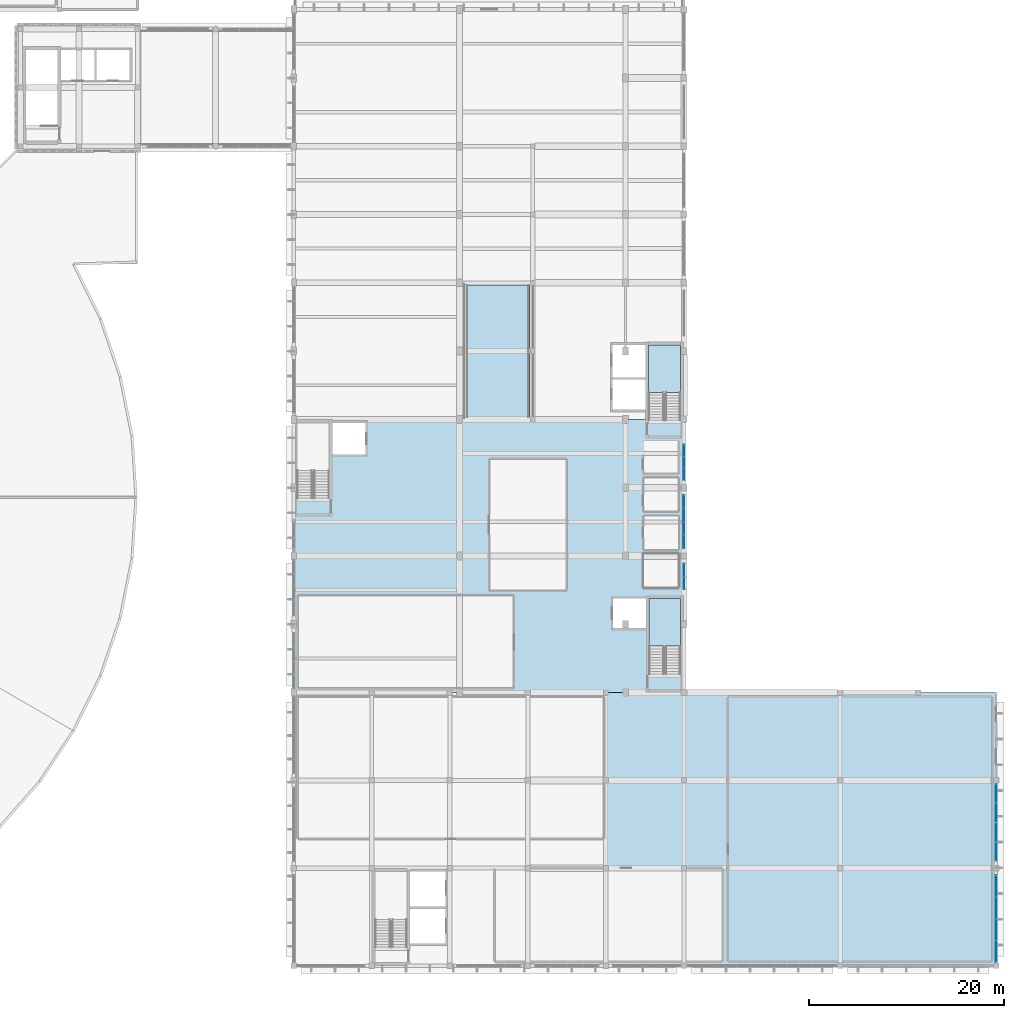
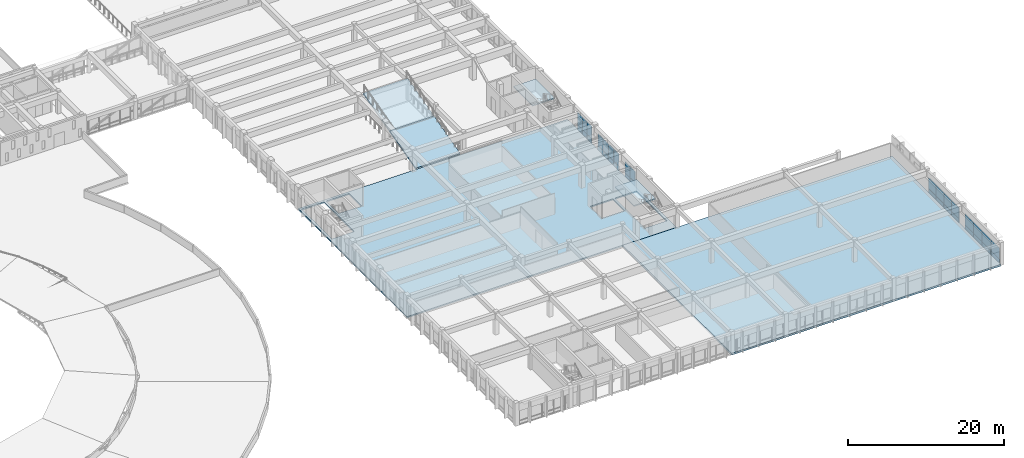
# One storey, part 50 of 77: 34 plates, 6 slabs, 7 elements without a shape of their own.
"""IFC4 building model written with IfcOpenShell, lengths in metres."""

from ifc_helpers import new_model, si_unit, direction, frame, origin, origin_2d, place, context, subcontext, project, spatial, polyline, rectangle, outline, extrude, material, layer, layer_set, type_object, element, aggregate, save


model = new_model("IFC4")

# Units and contexts
model_context = context("Model", 3, precision=1e-05, world=origin(), true_north=direction((0.0, 1.0)))
body_context = subcontext(model_context, "Body", "Model", "MODEL_VIEW")
ifc_project = project(units=[si_unit("LENGTHUNIT", "METRE"), si_unit("AREAUNIT", "SQUARE_METRE"), si_unit("VOLUMEUNIT", "CUBIC_METRE"), si_unit("PLANEANGLEUNIT", "RADIAN"), si_unit("MASSUNIT", "GRAM", prefix="KILO")], contexts=[model_context])

# Site, building, storey
site_placement = place(None, origin())
site = spatial("IfcSite", under=ifc_project, at=site_placement, CompositionType="ELEMENT")
building_placement = place(site_placement, origin())
building = spatial("IfcBuilding", under=site, at=building_placement, Name="Larkveld Mobility Hub", CompositionType="ELEMENT")
storey_placement = place(building_placement, frame((0.0, 0.0, 12.0)))
storey = spatial("IfcBuildingStorey", under=building, at=storey_placement, Name="L03", CompositionType="ELEMENT", Elevation=12.0)

# Curtain wall, plates
ifc_material_1 = material(Name="Anodised aluminium 6063-T6", Category="aluminium")
curtain_wall_type_1 = type_object("IfcCurtainWallType", Name="CW-SYS-01", PredefinedType="NOTDEFINED", material=ifc_material_1)
curtain_wall_1_placement = place(storey_placement, origin())
curtain_wall_1 = element("IfcCurtainWall", 1, at=curtain_wall_1_placement, inside=storey, type_object=curtain_wall_type_1, Name="Service Wing East Curtain Wall L03 CW-121", PredefinedType="NOTDEFINED")
ifc_material_2 = material(Name="Low-E laminated solar-control double glazing", Category="glass")
ifc_layer_1 = layer(ifc_material_2, 0.028076171875, Name="Low-E laminated solar-control double glazing", Category="glass")
ifc_layer_set_1 = layer_set([ifc_layer_1], Name="Low-E laminated solar-control double glazing")
plate_type_1 = type_object("IfcPlateType", Name="CW-PNL-GL01", PredefinedType="CURTAIN_PANEL", material=ifc_layer_set_1)
plate_1_placement = place(storey_placement, frame((184.0, 11.717041015625, 0.593994140625), z_axis=(0.0, 0.0, 1.0), x_axis=(0.0, 1.0, 0.0)))
plate_1 = element("IfcPlate", 2, at=plate_1_placement, type_object=plate_type_1, Name="CW01 panel 1", PredefinedType="CURTAIN_PANEL", context=body_context, shape_type="SweptSolid", body=[
    extrude(rectangle(XDim=1.9541015625, YDim=0.028076171875, at=origin_2d()), origin(), (0.0, 0.0, 1.0), 1.75390625),
])
plate_2_placement = place(storey_placement, frame((184.0, 13.69091796875, 0.593994140625), z_axis=(0.0, 0.0, 1.0), x_axis=(0.0, 1.0, 0.0)))
plate_2 = element("IfcPlate", 3, at=plate_2_placement, type_object=plate_type_1, Name="CW01 panel 2", PredefinedType="CURTAIN_PANEL", context=body_context, shape_type="SweptSolid", body=[
    extrude(rectangle(XDim=1.97412109375, YDim=0.028076171875, at=origin_2d()), origin(), (0.0, 0.0, 1.0), 1.75390625),
])
plate_3_placement = place(storey_placement, frame((184.0, 15.674072265625, 0.593994140625), z_axis=(0.0, 0.0, 1.0), x_axis=(0.0, 1.0, 0.0)))
plate_3 = element("IfcPlate", 4, at=plate_3_placement, type_object=plate_type_1, Name="CW01 panel 3", PredefinedType="CURTAIN_PANEL", context=body_context, shape_type="SweptSolid", body=[
    extrude(rectangle(XDim=1.97412109375, YDim=0.028076171875, at=origin_2d()), origin(), (0.0, 0.0, 1.0), 1.75390625),
])
plate_4_placement = place(storey_placement, frame((184.0, 17.64794921875, 0.593994140625), z_axis=(0.0, 0.0, 1.0), x_axis=(0.0, 1.0, 0.0)))
plate_4 = element("IfcPlate", 5, at=plate_4_placement, type_object=plate_type_1, Name="CW01 panel 4", PredefinedType="CURTAIN_PANEL", context=body_context, shape_type="SweptSolid", body=[
    extrude(rectangle(XDim=1.9541015625, YDim=0.028076171875, at=origin_2d()), origin(), (0.0, 0.0, 1.0), 1.75390625),
])

curtain_wall_type_2 = type_object("IfcCurtainWallType", Name="CW-SYS-04", PredefinedType="NOTDEFINED", material=ifc_material_1)
curtain_wall_2_placement = place(storey_placement, origin())
curtain_wall_2 = element("IfcCurtainWall", 6, at=curtain_wall_2_placement, inside=storey, type_object=curtain_wall_type_2, Name="Upper Mobility and Sports East Glazing L03 CW-148", PredefinedType="NOTDEFINED")
plate_5_placement = place(storey_placement, frame((152.0, 43.458984375, 0.64013671875), z_axis=(0.0, 0.0, 1.0), x_axis=(0.0, 1.0, 0.0)))
plate_5 = element("IfcPlate", 7, at=plate_5_placement, type_object=plate_type_1, Name="CW04 panel 1", PredefinedType="CURTAIN_PANEL", context=body_context, shape_type="SweptSolid", body=[
    extrude(rectangle(XDim=1.337890625, YDim=0.028076171875, at=origin_2d()), origin(), (0.0, 0.0, 1.0), 1.887939453125),
])
plate_6_placement = place(storey_placement, frame((152.0, 44.81689453125, 0.64013671875), z_axis=(0.0, 0.0, 1.0), x_axis=(0.0, 1.0, 0.0)))
plate_6 = element("IfcPlate", 8, at=plate_6_placement, type_object=plate_type_1, Name="CW04 panel 2", PredefinedType="CURTAIN_PANEL", context=body_context, shape_type="SweptSolid", body=[
    extrude(rectangle(XDim=1.35791015625, YDim=0.028076171875, at=origin_2d()), origin(), (0.0, 0.0, 1.0), 1.887939453125),
])
plate_7_placement = place(storey_placement, frame((152.0, 46.18408203125, 0.64013671875), z_axis=(0.0, 0.0, 1.0), x_axis=(0.0, 1.0, 0.0)))
plate_7 = element("IfcPlate", 9, at=plate_7_placement, type_object=plate_type_1, Name="CW04 panel 3", PredefinedType="CURTAIN_PANEL", context=body_context, shape_type="SweptSolid", body=[
    extrude(rectangle(XDim=1.35791015625, YDim=0.028076171875, at=origin_2d()), origin(), (0.0, 0.0, 1.0), 1.887939453125),
])
plate_8_placement = place(storey_placement, frame((152.0, 47.541015625, 0.64013671875), z_axis=(0.0, 0.0, 1.0), x_axis=(0.0, 1.0, 0.0)))
plate_8 = element("IfcPlate", 10, at=plate_8_placement, type_object=plate_type_1, Name="CW04 panel 4", PredefinedType="CURTAIN_PANEL", context=body_context, shape_type="SweptSolid", body=[
    extrude(rectangle(XDim=1.337890625, YDim=0.028076171875, at=origin_2d()), origin(), (0.0, 0.0, 1.0), 1.887939453125),
])

curtain_wall_type_3 = type_object("IfcCurtainWallType", Name="CW-SYS-05", PredefinedType="NOTDEFINED", material=ifc_material_1)
curtain_wall_3_placement = place(storey_placement, origin())
curtain_wall_3 = element("IfcCurtainWall", 11, at=curtain_wall_3_placement, inside=storey, type_object=curtain_wall_type_3, Name="Upper Mobility and Sports East Glazing L03 CW-149", PredefinedType="NOTDEFINED")
ifc_material_3 = material(Name="Acoustic solar-control laminated double glazing", Category="glass")
ifc_layer_2 = layer(ifc_material_3, 0.031982421875, Name="Acoustic solar-control laminated double glazing", Category="glass")
ifc_layer_set_2 = layer_set([ifc_layer_2], Name="Acoustic solar-control laminated double glazing")
plate_type_2 = type_object("IfcPlateType", Name="CW-PNL-GL02", PredefinedType="CURTAIN_PANEL", material=ifc_layer_set_2)
plate_9_placement = place(storey_placement, frame((152.0, 50.384033203125, 0.677490234375), z_axis=(0.0, 0.0, 1.0), x_axis=(0.0, 1.0, 0.0)))
plate_9 = element("IfcPlate", 12, at=plate_9_placement, type_object=plate_type_2, Name="CW05 panel 1", PredefinedType="CURTAIN_PANEL", context=body_context, shape_type="SweptSolid", body=[
    extrude(rectangle(XDim=1.18798828125, YDim=0.031982421875, at=origin_2d()), origin(), (0.0, 0.0, 1.0), 2.0009765625),
])
plate_10_placement = place(storey_placement, frame((152.0, 51.593017578125, 0.677490234375), z_axis=(0.0, 0.0, 1.0), x_axis=(0.0, 1.0, 0.0)))
plate_10 = element("IfcPlate", 13, at=plate_10_placement, type_object=plate_type_2, Name="CW05 panel 2", PredefinedType="CURTAIN_PANEL", context=body_context, shape_type="SweptSolid", body=[
    extrude(rectangle(XDim=1.2080078125, YDim=0.031982421875, at=origin_2d()), origin(), (0.0, 0.0, 1.0), 2.0009765625),
])
plate_11_placement = place(storey_placement, frame((152.0, 52.801025390625, 0.677490234375), z_axis=(0.0, 0.0, 1.0), x_axis=(0.0, 1.0, 0.0)))
plate_11 = element("IfcPlate", 14, at=plate_11_placement, type_object=plate_type_2, Name="CW05 panel 3", PredefinedType="CURTAIN_PANEL", context=body_context, shape_type="SweptSolid", body=[
    extrude(rectangle(XDim=1.18798828125, YDim=0.031982421875, at=origin_2d()), origin(), (0.0, 0.0, 1.0), 2.0009765625),
])

curtain_wall_type_4 = type_object("IfcCurtainWallType", Name="CW-SYS-12", PredefinedType="NOTDEFINED", material=ifc_material_1)
curtain_wall_4_placement = place(storey_placement, origin())
curtain_wall_4 = element("IfcCurtainWall", 15, at=curtain_wall_4_placement, inside=storey, type_object=curtain_wall_type_4, Name="Service Wing East Curtain Wall L03 CW-120", PredefinedType="NOTDEFINED")
ifc_material_4 = material(Name="Tinted safety double glazing", Category="glass")
ifc_layer_3 = layer(ifc_material_4, 0.035888671875, Name="Tinted safety double glazing", Category="glass")
ifc_layer_set_3 = layer_set([ifc_layer_3], Name="Tinted safety double glazing")
plate_type_3 = type_object("IfcPlateType", Name="CW-PNL-GL03", PredefinedType="CURTAIN_PANEL", material=ifc_layer_set_3)
plate_12_placement = place(storey_placement, frame((184.0, 1.47705078125, 0.593994140625), z_axis=(0.0, 0.0, 1.0), x_axis=(0.0, 1.0, 0.0)))
plate_12 = element("IfcPlate", 16, at=plate_12_placement, type_object=plate_type_3, Name="CW12 panel 1", PredefinedType="CURTAIN_PANEL", context=body_context, shape_type="SweptSolid", body=[
    extrude(rectangle(XDim=2.2041015625, YDim=0.035888671875, at=origin_2d()), origin(), (0.0, 0.0, 1.0), 1.75390625),
])
plate_13_placement = place(storey_placement, frame((184.0, 3.700927734375, 0.593994140625), z_axis=(0.0, 0.0, 1.0), x_axis=(0.0, 1.0, 0.0)))
plate_13 = element("IfcPlate", 17, at=plate_13_placement, type_object=plate_type_3, Name="CW12 panel 2", PredefinedType="CURTAIN_PANEL", context=body_context, shape_type="SweptSolid", body=[
    extrude(rectangle(XDim=2.22412109375, YDim=0.035888671875, at=origin_2d()), origin(), (0.0, 0.0, 1.0), 1.75390625),
])
plate_14_placement = place(storey_placement, frame((184.0, 5.93408203125, 0.593994140625), z_axis=(0.0, 0.0, 1.0), x_axis=(0.0, 1.0, 0.0)))
plate_14 = element("IfcPlate", 18, at=plate_14_placement, type_object=plate_type_3, Name="CW12 panel 3", PredefinedType="CURTAIN_PANEL", context=body_context, shape_type="SweptSolid", body=[
    extrude(rectangle(XDim=2.22412109375, YDim=0.035888671875, at=origin_2d()), origin(), (0.0, 0.0, 1.0), 1.75390625),
])
plate_15_placement = place(storey_placement, frame((184.0, 8.157958984375, 0.593994140625), z_axis=(0.0, 0.0, 1.0), x_axis=(0.0, 1.0, 0.0)))
plate_15 = element("IfcPlate", 19, at=plate_15_placement, type_object=plate_type_3, Name="CW12 panel 4", PredefinedType="CURTAIN_PANEL", context=body_context, shape_type="SweptSolid", body=[
    extrude(rectangle(XDim=2.2041015625, YDim=0.035888671875, at=origin_2d()), origin(), (0.0, 0.0, 1.0), 1.75390625),
])

curtain_wall_type_5 = type_object("IfcCurtainWallType", Name="CW-SYS-03", PredefinedType="NOTDEFINED", material=ifc_material_1)
curtain_wall_5_placement = place(storey_placement, origin())
curtain_wall_5 = element("IfcCurtainWall", 20, at=curtain_wall_5_placement, inside=storey, type_object=curtain_wall_type_5, Name="Upper Mobility and Sports East Glazing L03 CW-147", PredefinedType="NOTDEFINED")
plate_16_placement = place(storey_placement, frame((152.0, 39.25390625, 0.58984375), z_axis=(0.0, 0.0, 1.0), x_axis=(0.0, 1.0, 0.0)))
plate_16 = element("IfcPlate", 21, at=plate_16_placement, type_object=plate_type_3, Name="CW03 panel 1", PredefinedType="CURTAIN_PANEL", context=body_context, shape_type="SweptSolid", body=[
    extrude(rectangle(XDim=1.298095703125, YDim=0.035888671875, at=origin_2d()), origin(), (0.0, 0.0, 1.0), 1.738037109375),
])
plate_17_placement = place(storey_placement, frame((152.0, 40.56103515625, 0.58984375), z_axis=(0.0, 0.0, 1.0), x_axis=(0.0, 1.0, 0.0)))
plate_17 = element("IfcPlate", 22, at=plate_17_placement, type_object=plate_type_3, Name="CW03 panel 2", PredefinedType="CURTAIN_PANEL", context=body_context, shape_type="SweptSolid", body=[
    extrude(rectangle(XDim=1.298095703125, YDim=0.035888671875, at=origin_2d()), origin(), (0.0, 0.0, 1.0), 1.738037109375),
])

# Plate
ifc_material_5 = material(Name="Insulated fluoropolymer aluminium spandrel", Category="aluminium")
ifc_layer_4 = layer(ifc_material_5, 0.06494140625, Name="Insulated fluoropolymer aluminium spandrel", Category="aluminium")
ifc_layer_set_4 = layer_set([ifc_layer_4], Name="Insulated fluoropolymer aluminium spandrel")
plate_type_4 = type_object("IfcPlateType", Name="CW-PNL-SP01", PredefinedType="CURTAIN_PANEL", material=ifc_layer_set_4)
plate_18_placement = place(storey_placement, frame((184.0, 11.717041015625, -0.00048828125), z_axis=(0.0, 0.0, 1.0), x_axis=(0.0, 1.0, 0.0)))
plate_18 = element("IfcPlate", 23, at=plate_18_placement, type_object=plate_type_4, Name="CW01 spandrel 1", PredefinedType="CURTAIN_PANEL", context=body_context, shape_type="SweptSolid", body=[
    extrude(rectangle(XDim=1.9541015625, YDim=0.06494140625, at=origin_2d()), origin(), (0.0, 0.0, 1.0), 0.5830078125),
])

plate_19_placement = place(storey_placement, frame((184.0, 13.69091796875, -0.00048828125), z_axis=(0.0, 0.0, 1.0), x_axis=(0.0, 1.0, 0.0)))
plate_19 = element("IfcPlate", 24, at=plate_19_placement, type_object=plate_type_4, Name="CW01 spandrel 2", PredefinedType="CURTAIN_PANEL", context=body_context, shape_type="SweptSolid", body=[
    extrude(rectangle(XDim=1.97412109375, YDim=0.06494140625, at=origin_2d()), origin(), (0.0, 0.0, 1.0), 0.5830078125),
])

plate_20_placement = place(storey_placement, frame((184.0, 15.674072265625, -0.00048828125), z_axis=(0.0, 0.0, 1.0), x_axis=(0.0, 1.0, 0.0)))
plate_20 = element("IfcPlate", 25, at=plate_20_placement, type_object=plate_type_4, Name="CW01 spandrel 3", PredefinedType="CURTAIN_PANEL", context=body_context, shape_type="SweptSolid", body=[
    extrude(rectangle(XDim=1.97412109375, YDim=0.06494140625, at=origin_2d()), origin(), (0.0, 0.0, 1.0), 0.5830078125),
])

plate_21_placement = place(storey_placement, frame((184.0, 17.64794921875, -0.00048828125), z_axis=(0.0, 0.0, 1.0), x_axis=(0.0, 1.0, 0.0)))
plate_21 = element("IfcPlate", 26, at=plate_21_placement, type_object=plate_type_4, Name="CW01 spandrel 4", PredefinedType="CURTAIN_PANEL", context=body_context, shape_type="SweptSolid", body=[
    extrude(rectangle(XDim=1.9541015625, YDim=0.06494140625, at=origin_2d()), origin(), (0.0, 0.0, 1.0), 0.5830078125),
])

aggregate(curtain_wall_1, [plate_18, plate_1, plate_19, plate_2, plate_20, plate_3, plate_21, plate_4])

plate_22_placement = place(storey_placement, frame((152.0, 39.25390625, 0.0), z_axis=(0.0, 0.0, 1.0), x_axis=(0.0, 1.0, 0.0)))
plate_22 = element("IfcPlate", 27, at=plate_22_placement, type_object=plate_type_4, Name="CW03 spandrel 1", PredefinedType="CURTAIN_PANEL", context=body_context, shape_type="SweptSolid", body=[
    extrude(rectangle(XDim=1.298095703125, YDim=0.06494140625, at=origin_2d()), origin(), (0.0, 0.0, 1.0), 0.577880859375),
])

plate_23_placement = place(storey_placement, frame((152.0, 40.56103515625, 0.0), z_axis=(0.0, 0.0, 1.0), x_axis=(0.0, 1.0, 0.0)))
plate_23 = element("IfcPlate", 28, at=plate_23_placement, type_object=plate_type_4, Name="CW03 spandrel 2", PredefinedType="CURTAIN_PANEL", context=body_context, shape_type="SweptSolid", body=[
    extrude(rectangle(XDim=1.298095703125, YDim=0.06494140625, at=origin_2d()), origin(), (0.0, 0.0, 1.0), 0.577880859375),
])

aggregate(curtain_wall_5, [plate_22, plate_16, plate_23, plate_17])

plate_24_placement = place(storey_placement, frame((152.0, 50.384033203125, -0.00048828125), z_axis=(0.0, 0.0, 1.0), x_axis=(0.0, 1.0, 0.0)))
plate_24 = element("IfcPlate", 29, at=plate_24_placement, type_object=plate_type_4, Name="CW05 spandrel 1", PredefinedType="CURTAIN_PANEL", context=body_context, shape_type="SweptSolid", body=[
    extrude(rectangle(XDim=1.18798828125, YDim=0.06494140625, at=origin_2d()), origin(), (0.0, 0.0, 1.0), 0.6650390625),
])

plate_25_placement = place(storey_placement, frame((152.0, 51.593017578125, -0.00048828125), z_axis=(0.0, 0.0, 1.0), x_axis=(0.0, 1.0, 0.0)))
plate_25 = element("IfcPlate", 30, at=plate_25_placement, type_object=plate_type_4, Name="CW05 spandrel 2", PredefinedType="CURTAIN_PANEL", context=body_context, shape_type="SweptSolid", body=[
    extrude(rectangle(XDim=1.2080078125, YDim=0.06494140625, at=origin_2d()), origin(), (0.0, 0.0, 1.0), 0.6650390625),
])

plate_26_placement = place(storey_placement, frame((152.0, 52.801025390625, -0.00048828125), z_axis=(0.0, 0.0, 1.0), x_axis=(0.0, 1.0, 0.0)))
plate_26 = element("IfcPlate", 31, at=plate_26_placement, type_object=plate_type_4, Name="CW05 spandrel 3", PredefinedType="CURTAIN_PANEL", context=body_context, shape_type="SweptSolid", body=[
    extrude(rectangle(XDim=1.18798828125, YDim=0.06494140625, at=origin_2d()), origin(), (0.0, 0.0, 1.0), 0.6650390625),
])

aggregate(curtain_wall_3, [plate_24, plate_9, plate_25, plate_10, plate_26, plate_11])

ifc_material_6 = material(Name="Insulated terracotta-toned aluminium spandrel", Category="masonry")
ifc_layer_5 = layer(ifc_material_6, 0.080078125, Name="Insulated terracotta-toned aluminium spandrel", Category="masonry")
ifc_layer_set_5 = layer_set([ifc_layer_5], Name="Insulated terracotta-toned aluminium spandrel")
plate_type_5 = type_object("IfcPlateType", Name="CW-PNL-SP02", PredefinedType="CURTAIN_PANEL", material=ifc_layer_set_5)
plate_27_placement = place(storey_placement, frame((184.0, 1.47705078125, -0.00048828125), z_axis=(0.0, 0.0, 1.0), x_axis=(0.0, 1.0, 0.0)))
plate_27 = element("IfcPlate", 32, at=plate_27_placement, type_object=plate_type_5, Name="CW12 spandrel 1", PredefinedType="CURTAIN_PANEL", context=body_context, shape_type="SweptSolid", body=[
    extrude(rectangle(XDim=2.2041015625, YDim=0.080078125, at=origin_2d()), origin(), (0.0, 0.0, 1.0), 0.5830078125),
])

plate_28_placement = place(storey_placement, frame((184.0, 3.700927734375, -0.00048828125), z_axis=(0.0, 0.0, 1.0), x_axis=(0.0, 1.0, 0.0)))
plate_28 = element("IfcPlate", 33, at=plate_28_placement, type_object=plate_type_5, Name="CW12 spandrel 2", PredefinedType="CURTAIN_PANEL", context=body_context, shape_type="SweptSolid", body=[
    extrude(rectangle(XDim=2.22412109375, YDim=0.080078125, at=origin_2d()), origin(), (0.0, 0.0, 1.0), 0.5830078125),
])

plate_29_placement = place(storey_placement, frame((184.0, 5.93408203125, -0.00048828125), z_axis=(0.0, 0.0, 1.0), x_axis=(0.0, 1.0, 0.0)))
plate_29 = element("IfcPlate", 34, at=plate_29_placement, type_object=plate_type_5, Name="CW12 spandrel 3", PredefinedType="CURTAIN_PANEL", context=body_context, shape_type="SweptSolid", body=[
    extrude(rectangle(XDim=2.22412109375, YDim=0.080078125, at=origin_2d()), origin(), (0.0, 0.0, 1.0), 0.5830078125),
])

plate_30_placement = place(storey_placement, frame((184.0, 8.157958984375, -0.00048828125), z_axis=(0.0, 0.0, 1.0), x_axis=(0.0, 1.0, 0.0)))
plate_30 = element("IfcPlate", 35, at=plate_30_placement, type_object=plate_type_5, Name="CW12 spandrel 4", PredefinedType="CURTAIN_PANEL", context=body_context, shape_type="SweptSolid", body=[
    extrude(rectangle(XDim=2.2041015625, YDim=0.080078125, at=origin_2d()), origin(), (0.0, 0.0, 1.0), 0.5830078125),
])

aggregate(curtain_wall_4, [plate_27, plate_12, plate_28, plate_13, plate_29, plate_14, plate_30, plate_15])

plate_31_placement = place(storey_placement, frame((152.0, 43.458984375, 0.00048828125), z_axis=(0.0, 0.0, 1.0), x_axis=(0.0, 1.0, 0.0)))
plate_31 = element("IfcPlate", 36, at=plate_31_placement, type_object=plate_type_5, Name="CW04 spandrel 1", PredefinedType="CURTAIN_PANEL", context=body_context, shape_type="SweptSolid", body=[
    extrude(rectangle(XDim=1.337890625, YDim=0.080078125, at=origin_2d()), origin(), (0.0, 0.0, 1.0), 0.626953125),
])

plate_32_placement = place(storey_placement, frame((152.0, 44.81689453125, 0.00048828125), z_axis=(0.0, 0.0, 1.0), x_axis=(0.0, 1.0, 0.0)))
plate_32 = element("IfcPlate", 37, at=plate_32_placement, type_object=plate_type_5, Name="CW04 spandrel 2", PredefinedType="CURTAIN_PANEL", context=body_context, shape_type="SweptSolid", body=[
    extrude(rectangle(XDim=1.35791015625, YDim=0.080078125, at=origin_2d()), origin(), (0.0, 0.0, 1.0), 0.626953125),
])

plate_33_placement = place(storey_placement, frame((152.0, 46.18408203125, 0.00048828125), z_axis=(0.0, 0.0, 1.0), x_axis=(0.0, 1.0, 0.0)))
plate_33 = element("IfcPlate", 38, at=plate_33_placement, type_object=plate_type_5, Name="CW04 spandrel 3", PredefinedType="CURTAIN_PANEL", context=body_context, shape_type="SweptSolid", body=[
    extrude(rectangle(XDim=1.35791015625, YDim=0.080078125, at=origin_2d()), origin(), (0.0, 0.0, 1.0), 0.626953125),
])

plate_34_placement = place(storey_placement, frame((152.0, 47.541015625, 0.00048828125), z_axis=(0.0, 0.0, 1.0), x_axis=(0.0, 1.0, 0.0)))
plate_34 = element("IfcPlate", 39, at=plate_34_placement, type_object=plate_type_5, Name="CW04 spandrel 4", PredefinedType="CURTAIN_PANEL", context=body_context, shape_type="SweptSolid", body=[
    extrude(rectangle(XDim=1.337890625, YDim=0.080078125, at=origin_2d()), origin(), (0.0, 0.0, 1.0), 0.626953125),
])

aggregate(curtain_wall_2, [plate_31, plate_5, plate_32, plate_6, plate_33, plate_7, plate_34, plate_8])

# Slab
ifc_material_7 = material(Name="Concrete C40/50", Category="concrete")
ifc_layer_6 = layer(ifc_material_7, 0.215087890625, Name="Concrete C40/50", Category="concrete")
ifc_layer_set_6 = layer_set([ifc_layer_6], Name="Concrete C40/50")
slab_type_1 = type_object("IfcSlabType", Name="SL-DT-215", PredefinedType="FLOOR", material=ifc_layer_set_6)
slab_1_placement = place(storey_placement, frame((0.0, 0.0, -0.215087890625)))
element("IfcSlab", 40, at=slab_1_placement, inside=storey, type_object=slab_type_1, Name="EV Wing and Sports Pavilion Slab L03-144", PredefinedType="FLOOR", context=body_context, shape_type="SweptSolid", body=[
    extrude(outline(polyline([(112.0, 28.0), (152.0, 28.0), (152.0, 56.0), (112.0, 56.0), (112.0, 28.0)]), holes=[polyline([(148.39990234375, 29.89990234375), (148.39990234375, 37.64990234375), (151.64990234375, 37.64990234375), (151.64990234375, 29.89990234375), (148.39990234375, 29.89990234375)]), polyline([(144.719970703125, 34.60009765625), (144.719970703125, 37.64990234375), (148.1201171875, 37.64990234375), (148.1201171875, 34.60009765625), (144.719970703125, 34.60009765625)]), polyline([(112.35009765625, 47.919921875), (112.35009765625, 55.64990234375), (115.639892578125, 55.64990234375), (115.639892578125, 47.919921875), (112.35009765625, 47.919921875)]), polyline([(115.9599609375, 52.39990234375), (115.9599609375, 55.64990234375), (119.360107421875, 55.64990234375), (119.360107421875, 52.39990234375), (115.9599609375, 52.39990234375)])]), origin(), (0.0, 0.0, 1.0), 0.215087890625),
])

# Stair, slab
stair_type_1 = type_object("IfcStairType", Name="ST-HT-01", PredefinedType="HALF_TURN_STAIR", material=ifc_material_7)
stair_1_placement = place(storey_placement, origin())
stair_1 = element("IfcStair", 41, at=stair_1_placement, inside=storey, type_object=stair_type_1, Name="L03 Protected Escape Stair ST1", PredefinedType="HALF_TURN_STAIR")
ifc_layer_7 = layer(ifc_material_7, 0.175048828125, Name="Concrete C40/50", Category="concrete")
ifc_layer_set_7 = layer_set([ifc_layer_7], Name="Concrete C40/50")
slab_type_2 = type_object("IfcSlabType", Name="SL-LND-01", PredefinedType="LANDING", material=ifc_layer_set_7)
slab_2_placement = place(storey_placement, frame((0.0, 0.0, 1.625)))
slab_2 = element("IfcSlab", 42, at=slab_2_placement, type_object=slab_type_2, Name="ST1 landing 1", PredefinedType="LANDING", context=body_context, shape_type="SweptSolid", body=[
    extrude(outline(polyline([(151.64990234375, 32.75), (151.64990234375, 37.64990234375), (148.39990234375, 37.64990234375), (148.39990234375, 32.75), (151.64990234375, 32.75)])), origin(), (0.0, 0.0, 1.0), 0.175048828125),
])
aggregate(stair_1, [slab_2])

stair_type_2 = type_object("IfcStairType", Name="ST-HT-02", PredefinedType="HALF_TURN_STAIR", material=ifc_material_7)
stair_2_placement = place(storey_placement, origin())
stair_2 = element("IfcStair", 43, at=stair_2_placement, inside=storey, type_object=stair_type_2, Name="L03 Protected Escape Stair ST2", PredefinedType="HALF_TURN_STAIR")
ifc_layer_8 = layer(ifc_material_7, 0.18505859375, Name="Concrete C40/50", Category="concrete")
ifc_layer_set_8 = layer_set([ifc_layer_8], Name="Concrete C40/50")
slab_type_3 = type_object("IfcSlabType", Name="SL-LND-02", PredefinedType="LANDING", material=ifc_layer_set_8)
slab_3_placement = place(storey_placement, frame((0.0, 0.0, 1.614990234375)))
slab_3 = element("IfcSlab", 44, at=slab_3_placement, type_object=slab_type_3, Name="ST2 landing 1", PredefinedType="LANDING", context=body_context, shape_type="SweptSolid", body=[
    extrude(outline(polyline([(151.64990234375, 58.760009765625), (151.64990234375, 63.64990234375), (148.3798828125, 63.64990234375), (148.3798828125, 58.760009765625), (151.64990234375, 58.760009765625)])), origin(), (0.0, 0.0, 1.0), 0.18505859375),
])
aggregate(stair_2, [slab_3])

# Slabs
ifc_layer_9 = layer(ifc_material_7, 0.239990234375, Name="Concrete C40/50", Category="concrete")
ifc_layer_set_9 = layer_set([ifc_layer_9], Name="Concrete C40/50")
slab_type_4 = type_object("IfcSlabType", Name="SL-RMP-EV-240", PredefinedType="FLOOR", material=ifc_layer_set_9)
for number, where, z_axis, x_axis, name in (
    (45, (129.60009765625, 56.25, 0.0), (0.0, -0.257669176053, 0.966233199446), (1.0, 0.0, 0.0), "EV car park inter-deck vehicle ramp slab L03-1"),
    (46, (129.60009765625, 63.0, 1.800048828125), (0.0, -0.257669176053, 0.966233199446), (1.0, 0.0, 0.0), "EV car park inter-deck vehicle ramp slab L03-2"),
):
    element("IfcSlab", number, at=place(storey_placement, frame(where, z_axis=z_axis, x_axis=x_axis)), inside=storey, type_object=slab_type_4, Name=name, PredefinedType="FLOOR", context=body_context, shape_type="SweptSolid", body=[
        extrude(outline(polyline([(0.0, 0.0), (6.599853515625, 0.0), (6.599853515625, 6.985891194660433), (0.0, 6.985891194660433), (0.0, 0.0)])), origin(), (0.0, 0.0, -1.0), 0.239990234375),
    ])
ifc_layer_10 = layer(ifc_material_7, 0.280029296875, Name="Concrete C40/50", Category="concrete")
ifc_layer_set_10 = layer_set([ifc_layer_10], Name="Concrete C40/50")
slab_type_5 = type_object("IfcSlabType", Name="SL-WKS-280", PredefinedType="FLOOR", material=ifc_layer_set_10)
slab_4_placement = place(storey_placement, frame((0.0, 0.0, -0.280029296875)))
element("IfcSlab", 47, at=slab_4_placement, inside=storey, type_object=slab_type_5, Name="Service Centre Slab L03-126", PredefinedType="FLOOR", context=body_context, shape_type="SweptSolid", body=[
    extrude(outline(polyline([(144.0, 0.0), (184.0, 0.0), (184.0, 28.0), (144.0, 28.0), (144.0, 0.0)])), origin(), (0.0, 0.0, 1.0), 0.280029296875),
])

save(model, "model.ifc")
